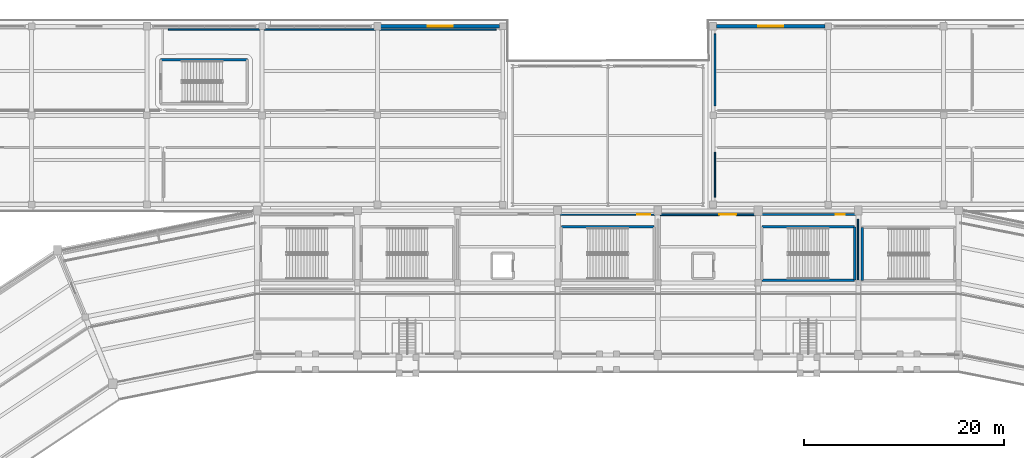
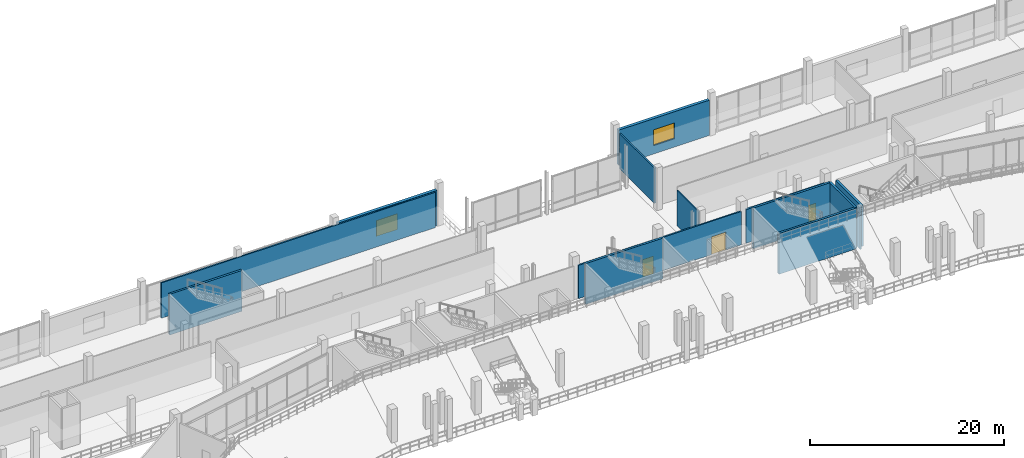
# One storey, part 84 of 127: 15 walls, 3 doors, 2 windows, 5 openings.
"""IFC4 building model written with IfcOpenShell, lengths in metres."""

from ifc_helpers import new_model, si_unit, direction, frame, frame_2d, origin, place, context, subcontext, project, spatial, rectangle, extrude, material, layer, layer_set, type_object, element, fill, save


model = new_model("IFC4")

# Units and contexts
model_context = context("Model", 3, precision=1e-05, world=origin(), true_north=direction((0.0, 1.0)))
body_context = subcontext(model_context, "Body", "Model", "MODEL_VIEW")
ifc_project = project(units=[si_unit("LENGTHUNIT", "METRE"), si_unit("AREAUNIT", "SQUARE_METRE"), si_unit("VOLUMEUNIT", "CUBIC_METRE"), si_unit("PLANEANGLEUNIT", "RADIAN"), si_unit("MASSUNIT", "GRAM", prefix="KILO")], contexts=[model_context])

# Site, building, storey
site_placement = place(None, origin())
site = spatial("IfcSite", under=ifc_project, at=site_placement, CompositionType="ELEMENT")
building_placement = place(site_placement, origin())
building = spatial("IfcBuilding", under=site, at=building_placement, Name="Candeia Ridge Stadium", CompositionType="ELEMENT")
storey_placement = place(building_placement, frame((0.0, 0.0, 10.800048828125)))
storey = spatial("IfcBuildingStorey", under=building, at=storey_placement, Name="L02", CompositionType="ELEMENT", Elevation=10.800048828125)

# Walls
ifc_material_1 = material(Name="Concrete C40/50", Category="concrete")
ifc_layer_1 = layer(ifc_material_1, 0.25, Name="Concrete C40/50", Category="concrete")
ifc_layer_set_1 = layer_set([ifc_layer_1], Name="Concrete C40/50")
wall_type_1 = type_object("IfcWallType", Name="Core Shear Wall Concrete 250", PredefinedType="SHEAR", material=ifc_layer_set_1)
wall_1_placement = place(storey_placement, frame((131.37548828125, 145.32470703125, 0.0), z_axis=(0.0, 0.0, 1.0), x_axis=(0.0, -1.0, 0.0)))
element("IfcWall", 1, at=wall_1_placement, inside=storey, type_object=wall_type_1, Name="Core C04 far shear wall L02", PredefinedType="SHEAR", context=body_context, shape_type="SweptSolid", body=[
    extrude(rectangle(XDim=5.29931640625, YDim=0.25, at=frame_2d((2.649658203125, 0.0))), origin(), (0.0, 0.0, 1.0), 5.14990234375),
])
wall_2_placement = place(storey_placement, frame((121.37548828125, 140.075439453125, 0.0), z_axis=(0.0, 0.0, 1.0), x_axis=(1.0, 0.0, 0.0)))
element("IfcWall", 2, at=wall_2_placement, inside=storey, type_object=wall_type_1, Name="Core C10 left shear wall L02", PredefinedType="SHEAR", context=body_context, shape_type="SweptSolid", body=[
    extrude(rectangle(XDim=9.2490234375, YDim=0.25, at=frame_2d((4.62451171875, 0.0))), origin(), (0.0, 0.0, 1.0), 5.14990234375),
])
wall_3_placement = place(storey_placement, frame((130.62451171875, 140.075439453125, 0.0), z_axis=(0.0, 0.0, 1.0), x_axis=(0.0, 1.0, 0.0)))
element("IfcWall", 3, at=wall_3_placement, inside=storey, type_object=wall_type_1, Name="Core C10 far shear wall L02", PredefinedType="SHEAR", context=body_context, shape_type="SweptSolid", body=[
    extrude(rectangle(XDim=5.299072265625, YDim=0.25, at=frame_2d((2.6494140625, 0.0))), origin(), (0.0, 0.0, 1.0), 5.14990234375),
])
wall_4_placement = place(storey_placement, frame((130.62451171875, 145.37451171875, 0.0), z_axis=(0.0, 0.0, 1.0), x_axis=(-1.0, 0.0, 0.0)))
element("IfcWall", 4, at=wall_4_placement, inside=storey, type_object=wall_type_1, Name="Core C10 right shear wall L02", PredefinedType="SHEAR", context=body_context, shape_type="SweptSolid", body=[
    extrude(rectangle(XDim=9.2490234375, YDim=0.25, at=frame_2d((4.62451171875, 0.0))), origin(), (0.0, 0.0, 1.0), 5.14990234375),
])
wall_5_placement = place(storey_placement, frame((70.024658203125, 162.07470703125, 0.0), z_axis=(0.0, 0.0, 1.0), x_axis=(-1.0, 0.0, 0.0)))
element("IfcWall", 5, at=wall_5_placement, inside=storey, type_object=wall_type_1, Name="Core C15 right shear wall L02", PredefinedType="SHEAR", context=body_context, shape_type="SweptSolid", body=[
    extrude(rectangle(XDim=8.649169921875, YDim=0.25, at=frame_2d((4.32470703125, 0.0))), origin(), (0.0, 0.0, 1.0), 5.14990234375),
])
wall_6_placement = place(storey_placement, frame((110.62451171875, 145.37451171875, 0.0), z_axis=(0.0, 0.0, 1.0), x_axis=(-1.0, 0.0, 0.0)))
element("IfcWall", 6, at=wall_6_placement, inside=storey, type_object=wall_type_1, Name="Core C17 right shear wall L02", PredefinedType="SHEAR", context=body_context, shape_type="SweptSolid", body=[
    extrude(rectangle(XDim=9.2490234375, YDim=0.25, at=frame_2d((4.62451171875, 0.0))), origin(), (0.0, 0.0, 1.0), 5.14990234375),
])
ifc_material_2 = material(Name="Gypsum Acoustic Twin-Stud Assembly", Category="gypsum")
ifc_layer_2 = layer(ifc_material_2, 0.179931640625, Name="Gypsum Acoustic Twin-Stud Assembly", Category="gypsum")
ifc_layer_set_2 = layer_set([ifc_layer_2], Name="Gypsum Acoustic Twin-Stud Assembly")
wall_type_2 = type_object("IfcWallType", Name="Corridor Fire Partition 180", PredefinedType="PARTITIONING", material=ifc_layer_set_2)
wall_7_placement = place(storey_placement, frame((116.699951171875, 157.449951171875, 0.0), z_axis=(0.0, 0.0, 1.0), x_axis=(0.0, 1.0, 0.0)))
element("IfcWall", 7, at=wall_7_placement, inside=storey, type_object=wall_type_2, Name="Demising partition PT-L02-0430", PredefinedType="PARTITIONING", context=body_context, shape_type="SweptSolid", body=[
    extrude(rectangle(XDim=7.199951171875, YDim=0.179931640625, at=frame_2d((3.60009765625, 0.0))), origin(), (0.0, 0.0, 1.0), 4.454833984375),
])

# Wall, opening, door
wall_8_placement = place(storey_placement, frame((101.25, 146.60009765625, 0.0), z_axis=(0.0, 0.0, 1.0), x_axis=(1.0, 0.0, 0.0)))
wall_8 = element("IfcWall", 8, at=wall_8_placement, inside=storey, type_object=wall_type_2, Name="Interior partition PT-L02-0451", PredefinedType="PARTITIONING", context=body_context, shape_type="SweptSolid", body=[
    extrude(rectangle(XDim=9.4599609375, YDim=0.179931640625, at=frame_2d((4.72998046875, 0.0))), origin(), (0.0, 0.0, 1.0), 4.21484375),
])
opening_1_placement = place(wall_8_placement, frame((7.679931640625, 0.0, 0.0)))
opening_1 = element("IfcOpeningElement", 9, at=opening_1_placement, cuts=wall_8, Name="Opening ID13", PredefinedType="OPENING", context=body_context, shape_type="SweptSolid", body=[
    extrude(rectangle(XDim=1.300048828125, YDim=2.199951171875, at=frame_2d((0.64990234375, 1.10009765625))), frame((0.0, 0.099853515625, 0.0), z_axis=(0.0, -1.0, 0.0), x_axis=(1.0, 0.0, 0.0)), (0.0, 0.0, 1.0), 0.199951171875),
])
ifc_material_3 = material(Name="Moisture-Resistant Laminate", Category="wood")
door_type_1 = type_object("IfcDoorType", Name="Medical Clinic Wide Door 1300x2200", OperationType="NOTDEFINED", PredefinedType="DOOR", material=ifc_material_3)
door_1_placement = place(opening_1_placement, origin())
door_1 = element("IfcDoor", 10, at=door_1_placement, inside=storey, type_object=door_type_1, Name="Interior room door D-L02-0233", OperationType="SINGLE_SWING_LEFT", OverallHeight=2.199951171875, OverallWidth=1.300048828125, PredefinedType="DOOR", context=body_context, shape_type="SweptSolid", body=[
    extrude(rectangle(XDim=1.300048828125, YDim=2.199951171875, at=frame_2d((0.64990234375, 1.10009765625))), frame((0.0, 0.02490234375, 0.0), z_axis=(0.0, -1.0, 0.0), x_axis=(1.0, 0.0, 0.0)), (0.0, 0.0, 1.0), 0.050048828125),
])
fill(opening_1, door_1)

# Wall, opening, window
ifc_layer_3 = layer(ifc_material_1, 0.360107421875, Name="Concrete C40/50", Category="concrete")
ifc_layer_set_3 = layer_set([ifc_layer_3], Name="Concrete C40/50")
wall_type_3 = type_object("IfcWallType", Name="Exterior Basalt Plinth Wall 360", PredefinedType="SOLIDWALL", material=ifc_layer_set_3)
wall_9_placement = place(storey_placement, frame((83.337890625, 165.39990234375, 0.0), z_axis=(0.0, 0.0, 1.0), x_axis=(1.0, 0.0, 0.0)))
wall_9 = element("IfcWall", 11, at=wall_9_placement, inside=storey, type_object=wall_type_3, Name="Exterior facade wall EW-L02-0210", PredefinedType="SOLIDWALL", context=body_context, shape_type="SweptSolid", body=[
    extrude(rectangle(XDim=11.84912109375, YDim=0.360107421875, at=frame_2d((5.924560546875, 0.0))), origin(), (0.0, 0.0, 1.0), 4.454833984375),
])
opening_2_placement = place(wall_9_placement, frame((4.674560546875, 0.0, 1.050048828125)))
opening_2 = element("IfcOpeningElement", 12, at=opening_2_placement, cuts=wall_9, Name="Opening W13", PredefinedType="OPENING", context=body_context, shape_type="SweptSolid", body=[
    extrude(rectangle(XDim=2.5, YDim=2.0, at=frame_2d((1.25, 1.0))), frame((0.0, 0.18994140625, 0.0), z_axis=(0.0, -1.0, 0.0), x_axis=(1.0, 0.0, 0.0)), (0.0, 0.0, 1.0), 0.380126953125),
])
ifc_material_4 = material(Name="Tempered Solar-Control Double Glazing", Category="glass")
window_type = type_object("IfcWindowType", Name="Ticketing Hall Window 2500x2000", PartitioningType="SINGLE_PANEL", PredefinedType="WINDOW", material=ifc_material_4)
window_1_placement = place(opening_2_placement, origin())
window_1 = element("IfcWindow", 13, at=window_1_placement, inside=storey, type_object=window_type, Name="Exterior window WIN-L02-117", OverallHeight=2.0, OverallWidth=2.5, PartitioningType="SINGLE_PANEL", PredefinedType="WINDOW", context=body_context, shape_type="SweptSolid", body=[
    extrude(rectangle(XDim=2.5, YDim=2.0, at=frame_2d((1.25, 1.0))), frame((0.0, 0.030029296875, 0.0), z_axis=(0.0, -1.0, 0.0), x_axis=(1.0, 0.0, 0.0)), (0.0, 0.0, 1.0), 0.06005859375),
])
fill(opening_2, window_1)

wall_10_placement = place(storey_placement, frame((116.837890625, 165.39990234375, 0.0), z_axis=(0.0, 0.0, 1.0), x_axis=(1.0, 0.0, 0.0)))
wall_10 = element("IfcWall", 14, at=wall_10_placement, inside=storey, type_object=wall_type_3, Name="Exterior facade wall EW-L02-0211", PredefinedType="SOLIDWALL", context=body_context, shape_type="SweptSolid", body=[
    extrude(rectangle(XDim=10.84912109375, YDim=0.360107421875, at=frame_2d((5.424560546875, 0.0))), origin(), (0.0, 0.0, 1.0), 4.454833984375),
])
opening_3_placement = place(wall_10_placement, frame((4.174560546875, 0.0, 1.050048828125)))
opening_3 = element("IfcOpeningElement", 15, at=opening_3_placement, cuts=wall_10, Name="Opening W13", PredefinedType="OPENING", context=body_context, shape_type="SweptSolid", body=[
    extrude(rectangle(XDim=2.5, YDim=2.0, at=frame_2d((1.25, 1.0))), frame((0.0, 0.18994140625, 0.0), z_axis=(0.0, -1.0, 0.0), x_axis=(1.0, 0.0, 0.0)), (0.0, 0.0, 1.0), 0.380126953125),
])
window_2_placement = place(opening_3_placement, origin())
window_2 = element("IfcWindow", 16, at=window_2_placement, inside=storey, type_object=window_type, Name="Exterior window WIN-L02-118", OverallHeight=2.0, OverallWidth=2.5, PartitioningType="SINGLE_PANEL", PredefinedType="WINDOW", context=body_context, shape_type="SweptSolid", body=[
    extrude(rectangle(XDim=2.5, YDim=2.0, at=frame_2d((1.25, 1.0))), frame((0.0, 0.030029296875, 0.0), z_axis=(0.0, -1.0, 0.0), x_axis=(1.0, 0.0, 0.0)), (0.0, 0.0, 1.0), 0.06005859375),
])
fill(opening_3, window_2)

# Wall
ifc_material_5 = material(Name="Gypsum Metal-Stud Partition", Category="gypsum")
ifc_layer_4 = layer(ifc_material_5, 0.135009765625, Name="Gypsum Metal-Stud Partition", Category="gypsum")
ifc_layer_set_4 = layer_set([ifc_layer_4], Name="Gypsum Metal-Stud Partition")
wall_type_4 = type_object("IfcWallType", Name="General Room Partition 135", PredefinedType="PARTITIONING", material=ifc_layer_set_4)
wall_11_placement = place(storey_placement, frame((130.9599609375, 146.14990234375, 0.0), z_axis=(0.0, 0.0, 1.0), x_axis=(0.0, -1.0, 0.0)))
element("IfcWall", 17, at=wall_11_placement, inside=storey, type_object=wall_type_4, Name="Demising partition PT-L02-0448", PredefinedType="PARTITIONING", context=body_context, shape_type="SweptSolid", body=[
    extrude(rectangle(XDim=6.5, YDim=0.135009765625, at=frame_2d((3.25, 0.0))), origin(), (0.0, 0.0, 1.0), 4.2548828125),
])

# Wall, opening, door
ifc_material_6 = material(Name="Moisture-Resistant Masonry & Tile", Category="masonry")
ifc_layer_5 = layer(ifc_material_6, 0.2099609375, Name="Moisture-Resistant Masonry & Tile", Category="masonry")
ifc_layer_set_5 = layer_set([ifc_layer_5], Name="Moisture-Resistant Masonry & Tile")
wall_type_5 = type_object("IfcWallType", Name="Sanitary Wet-Wall Plumbing Chase 210", PredefinedType="PLUMBINGWALL", material=ifc_layer_set_5)
wall_12_placement = place(storey_placement, frame((121.25, 146.60009765625, 0.0), z_axis=(0.0, 0.0, 1.0), x_axis=(1.0, 0.0, 0.0)))
wall_12 = element("IfcWall", 18, at=wall_12_placement, inside=storey, type_object=wall_type_5, Name="Interior partition PT-L02-0447", PredefinedType="PLUMBINGWALL", context=body_context, shape_type="SweptSolid", body=[
    extrude(rectangle(XDim=9.4599609375, YDim=0.2099609375, at=frame_2d((4.72998046875, 0.0))), origin(), (0.0, 0.0, 1.0), 4.2548828125),
])
opening_4_placement = place(wall_12_placement, frame((7.47998046875, 0.0, 0.0)))
opening_4 = element("IfcOpeningElement", 19, at=opening_4_placement, cuts=wall_12, Name="Opening ID07", PredefinedType="OPENING", context=body_context, shape_type="SweptSolid", body=[
    extrude(rectangle(XDim=0.89990234375, YDim=2.10009765625, at=frame_2d((0.449951171875, 1.050048828125))), frame((0.0, 0.114990234375, 0.0), z_axis=(0.0, -1.0, 0.0), x_axis=(1.0, 0.0, 0.0)), (0.0, 0.0, 1.0), 0.22998046875),
])
door_type_2 = type_object("IfcDoorType", Name="Sanitary Lobby Single Door 900x2100", OperationType="NOTDEFINED", PredefinedType="DOOR", material=ifc_material_3)
door_2_placement = place(opening_4_placement, frame((0.89990234375, 0.0, 0.0), z_axis=(0.0, 0.0, 1.0), x_axis=(-1.0, 0.0, 0.0)))
door_2 = element("IfcDoor", 20, at=door_2_placement, inside=storey, type_object=door_type_2, Name="Interior room door D-L02-0231", OperationType="SINGLE_SWING_RIGHT", OverallHeight=2.10009765625, OverallWidth=0.89990234375, PredefinedType="DOOR", context=body_context, shape_type="SweptSolid", body=[
    extrude(rectangle(XDim=0.89990234375, YDim=2.10009765625, at=frame_2d((0.449951171875, 1.050048828125))), frame((0.0, 0.02490234375, 0.0), z_axis=(0.0, -1.0, 0.0), x_axis=(1.0, 0.0, 0.0)), (0.0, 0.0, 1.0), 0.050048828125),
])
fill(opening_4, door_2)

# Wall
ifc_layer_6 = layer(ifc_material_2, 0.169921875, Name="Gypsum Acoustic Twin-Stud Assembly", Category="gypsum")
ifc_layer_set_6 = layer_set([ifc_layer_6], Name="Gypsum Acoustic Twin-Stud Assembly")
wall_type_6 = type_object("IfcWallType", Name="Skybox Demising Acoustic Wall 170", PredefinedType="PARTITIONING", material=ifc_layer_set_6)
wall_13_placement = place(storey_placement, frame((62.14990234375, 165.10009765625, 0.0), z_axis=(0.0, 0.0, 1.0), x_axis=(1.0, 0.0, 0.0)))
element("IfcWall", 21, at=wall_13_placement, inside=storey, type_object=wall_type_6, Name="Demising partition PT-L02-0426", PredefinedType="PARTITIONING", context=body_context, shape_type="SweptSolid", body=[
    extrude(rectangle(XDim=32.7001953125, YDim=0.169921875, at=frame_2d((16.35009765625, 0.0))), origin(), (0.0, 0.0, 1.0), 4.454833984375),
])

# Wall, opening, door
wall_14_placement = place(storey_placement, frame((111.25, 146.60009765625, 0.0), z_axis=(0.0, 0.0, 1.0), x_axis=(1.0, 0.0, 0.0)))
wall_14 = element("IfcWall", 22, at=wall_14_placement, inside=storey, type_object=wall_type_6, Name="Interior partition PT-L02-0449", PredefinedType="PARTITIONING", context=body_context, shape_type="SweptSolid", body=[
    extrude(rectangle(XDim=9.4599609375, YDim=0.169921875, at=frame_2d((4.72998046875, 0.0))), origin(), (0.0, 0.0, 1.0), 4.21484375),
])
opening_5_placement = place(wall_14_placement, frame((5.8798828125, 0.0, 0.0)))
opening_5 = element("IfcOpeningElement", 23, at=opening_5_placement, cuts=wall_14, Name="Opening ID09", PredefinedType="OPENING", context=body_context, shape_type="SweptSolid", body=[
    extrude(rectangle(XDim=1.699951171875, YDim=2.25, at=frame_2d((0.85009765625, 1.125))), frame((0.0, 0.094970703125, 0.0), z_axis=(0.0, -1.0, 0.0), x_axis=(1.0, 0.0, 0.0)), (0.0, 0.0, 1.0), 0.18994140625),
])
ifc_material_7 = material(Name="Timber Fire-Rated Acoustic", Category="wood")
door_type_3 = type_object("IfcDoorType", Name="Founders Lounge Double Door 1700x2250", OperationType="NOTDEFINED", PredefinedType="DOOR", material=ifc_material_7)
door_3_placement = place(opening_5_placement, origin())
door_3 = element("IfcDoor", 24, at=door_3_placement, inside=storey, type_object=door_type_3, Name="Interior room door D-L02-0232", OperationType="DOUBLE_DOOR_SINGLE_SWING", OverallHeight=2.25, OverallWidth=1.699951171875, PredefinedType="DOOR", context=body_context, shape_type="SweptSolid", body=[
    extrude(rectangle(XDim=1.699951171875, YDim=2.25, at=frame_2d((0.85009765625, 1.125))), frame((0.0, 0.02490234375, 0.0), z_axis=(0.0, -1.0, 0.0), x_axis=(1.0, 0.0, 0.0)), (0.0, 0.0, 1.0), 0.050048828125),
])
fill(opening_5, door_3)

# Wall
ifc_layer_7 = layer(ifc_material_5, 0.1298828125, Name="Gypsum Metal-Stud Partition", Category="gypsum")
ifc_layer_set_7 = layer_set([ifc_layer_7], Name="Gypsum Metal-Stud Partition")
wall_type_7 = type_object("IfcWallType", Name="Ticketing Back-Office Partition 130", PredefinedType="PARTITIONING", material=ifc_layer_set_7)
wall_15_placement = place(storey_placement, frame((116.699951171875, 148.35009765625, 0.0), z_axis=(0.0, 0.0, 1.0), x_axis=(0.0, 1.0, 0.0)))
element("IfcWall", 25, at=wall_15_placement, inside=storey, type_object=wall_type_7, Name="Demising partition PT-L02-0428", PredefinedType="PARTITIONING", context=body_context, shape_type="SweptSolid", body=[
    extrude(rectangle(XDim=4.5, YDim=0.1298828125, at=frame_2d((2.25, 0.0))), origin(), (0.0, 0.0, 1.0), 4.454833984375),
])

save(model, "model.ifc")
